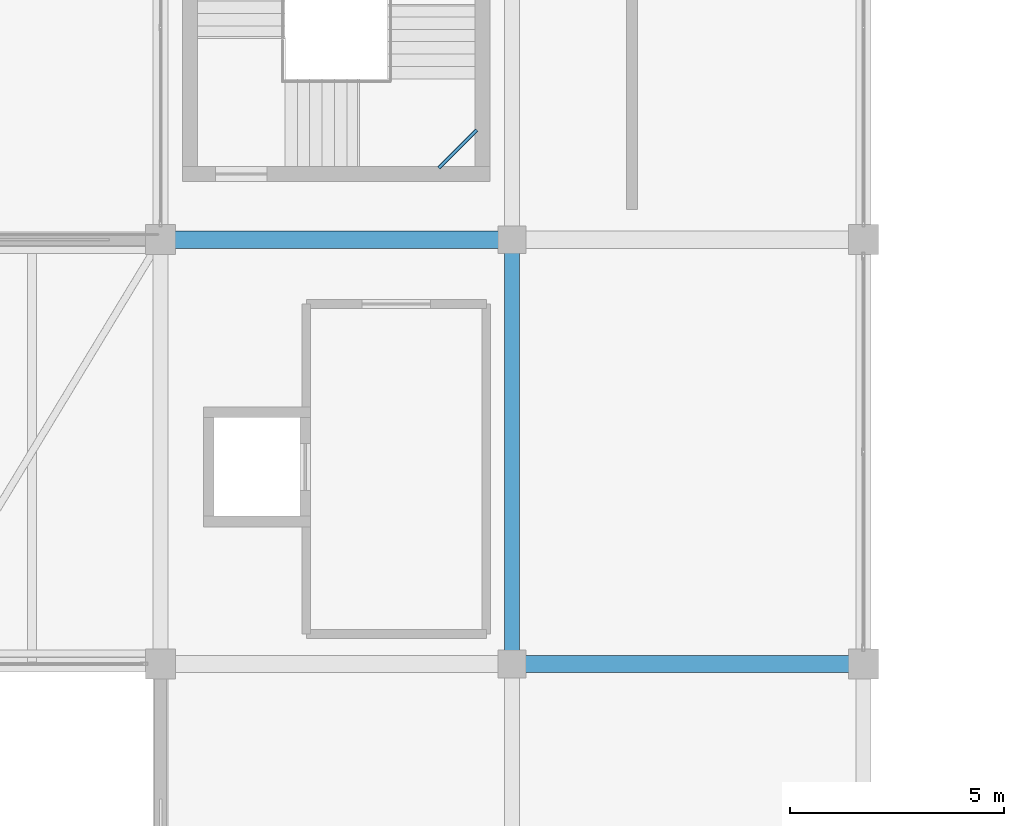
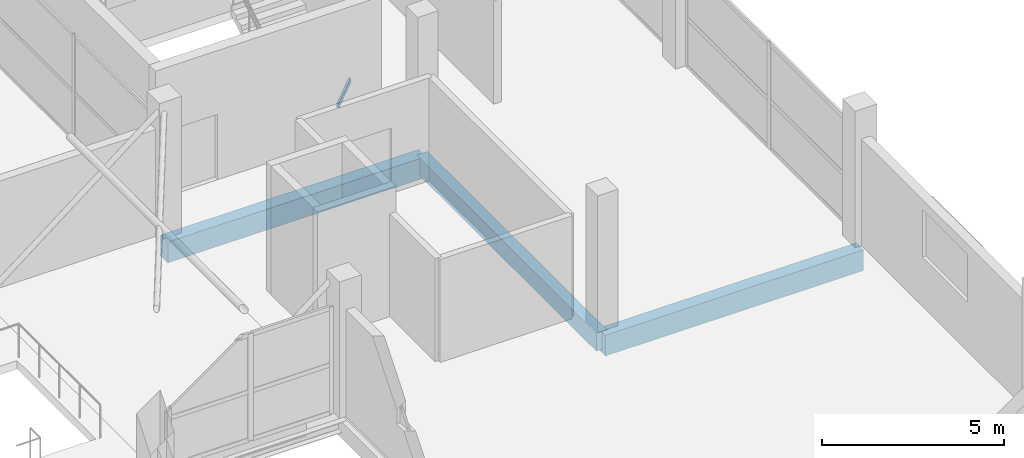
# One storey, part 18 of 69: 4 beams.
"""IFC4 building model written with IfcOpenShell, lengths in metres."""

from ifc_helpers import new_model, si_unit, direction, frame, origin, origin_2d, place, context, subcontext, project, spatial, rectangle, hollow_rectangle, extrude, material, material_profile, profile_set, type_object, element, save


model = new_model("IFC4")

# Units and contexts
model_context = context("Model", 3, precision=1e-05, world=origin(), true_north=direction((0.0, 1.0)))
body_context = subcontext(model_context, "Body", "Model", "MODEL_VIEW")
ifc_project = project(units=[si_unit("LENGTHUNIT", "METRE"), si_unit("AREAUNIT", "SQUARE_METRE"), si_unit("VOLUMEUNIT", "CUBIC_METRE"), si_unit("PLANEANGLEUNIT", "RADIAN"), si_unit("MASSUNIT", "GRAM", prefix="KILO")], contexts=[model_context])

# Site, building, storey
site_placement = place(None, origin())
site = spatial("IfcSite", under=ifc_project, at=site_placement, CompositionType="ELEMENT")
building_placement = place(site_placement, origin())
building = spatial("IfcBuilding", under=site, at=building_placement, Name="Sillaruma Civic Art Gallery", CompositionType="ELEMENT")
storey_placement = place(building_placement, frame((0.0, 0.0, 42.330078125)))
storey = spatial("IfcBuildingStorey", under=building, at=storey_placement, Name="L08", CompositionType="ELEMENT", Elevation=42.330078125)

# Beams
ifc_material_1 = material(Name="Concrete H35 (35 MPa)", Category="concrete")
ifc_material_profile_1 = material_profile(ifc_material_1, rectangle(XDim=0.35009765625, YDim=0.60009765625, at=origin_2d()), Name="RCB350x600")
ifc_profile_set_1 = profile_set([ifc_material_profile_1], Name="Concrete H35 (35 MPa)")
beam_type_1 = type_object("IfcBeamType", Name="BM-BEAM-RCB350x600", PredefinedType="BEAM", material=ifc_profile_set_1)
beam_1_placement = place(storey_placement, frame((106.199951171875, 39.60009765625, -0.580078125), z_axis=(0.0, 1.0, 0.0), x_axis=(-1.0, 0.0, 0.0)))
element("IfcBeam", 1, at=beam_1_placement, inside=storey, type_object=beam_type_1, Name="Beam BM-06 (L07:M:5-6)", PredefinedType="BEAM", context=body_context, shape_type="SweptSolid", body=[
    extrude(rectangle(XDim=0.35009765625, YDim=0.60009765625, at=origin_2d()), origin(), (0.0, 0.0, 1.0), 9.89990234375),
])
ifc_material_profile_2 = material_profile(ifc_material_1, rectangle(XDim=0.39990234375, YDim=0.699951171875, at=origin_2d()), Name="RCB400x700")
ifc_profile_set_2 = profile_set([ifc_material_profile_2], Name="Concrete H35 (35 MPa)")
beam_type_2 = type_object("IfcBeamType", Name="BM-BEAM-RCB400x700", PredefinedType="BEAM", material=ifc_profile_set_2)
for number, where, z_axis, x_axis, name in (
    (2, (106.199951171875, 39.60009765625, -0.630126953125), (1.0, 0.0, 0.0), (0.0, 1.0, 0.0), "Beam BM-04 (L07:5:M-N)"),
    (3, (98.0, 49.5, -0.630126953125), (1.0, 0.0, 0.0), (0.0, 1.0, 0.0), "Beam BM-04 (L07:6:L-M)"),
):
    element("IfcBeam", number, at=place(storey_placement, frame(where, z_axis=z_axis, x_axis=x_axis)), inside=storey, type_object=beam_type_2, Name=name, PredefinedType="BEAM", context=body_context, shape_type="SweptSolid", body=[
        extrude(rectangle(XDim=0.39990234375, YDim=0.699951171875, at=origin_2d()), origin(), (0.0, 0.0, 1.0), 8.199951171875),
    ])
ifc_material_2 = material(Name="Structural Steel ASTM A500 Gr.C", Category="steel")
ifc_material_profile_3 = material_profile(ifc_material_2, hollow_rectangle(XDim=0.080078125, YDim=0.159912109375, WallThickness=0.008056640625, InnerFilletRadius=0.008056640625, OuterFilletRadius=0.01611328125, at=origin_2d()), Name="HSS160x80x8")
ifc_profile_set_3 = profile_set([ifc_material_profile_3], Name="Structural Steel ASTM A500 Gr.C")
beam_type_3 = type_object("IfcBeamType", Name="BM-LND-HSS160", PredefinedType="BEAM", material=ifc_profile_set_3)
beam_2_placement = place(storey_placement, frame((104.489990234375, 51.169921875, 0.909912109375), z_axis=(0.707009791025, 0.707203758046, 0.0), x_axis=(-0.707203758046, 0.707009791025, 0.0)))
element("IfcBeam", 4, at=beam_2_placement, inside=storey, type_object=beam_type_3, Name="Stair Corner Landing Trimmer Beam (ST-04-L08-1)", PredefinedType="BEAM", context=body_context, shape_type="SweptSolid", body=[
    extrude(hollow_rectangle(XDim=0.080078125, YDim=0.159912109375, WallThickness=0.008056640625, InnerFilletRadius=0.008056640625, OuterFilletRadius=0.01611328125, at=origin_2d()), origin(), (0.0, 0.0, 1.0), 1.2587890625),
])

save(model, "model.ifc")
